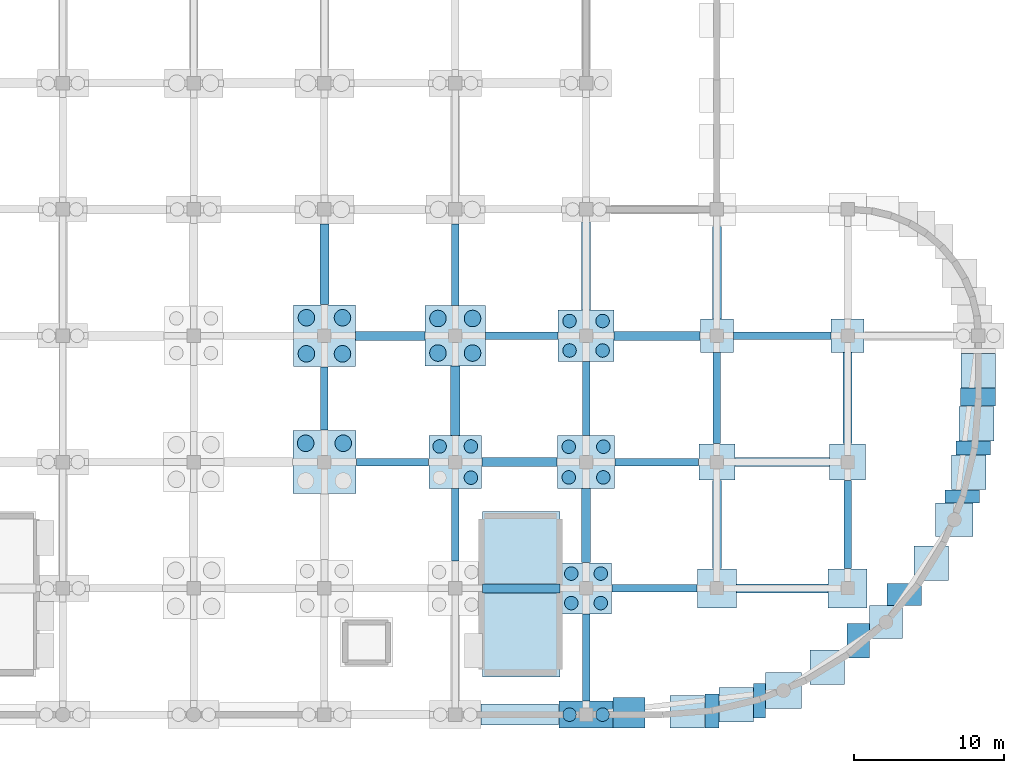
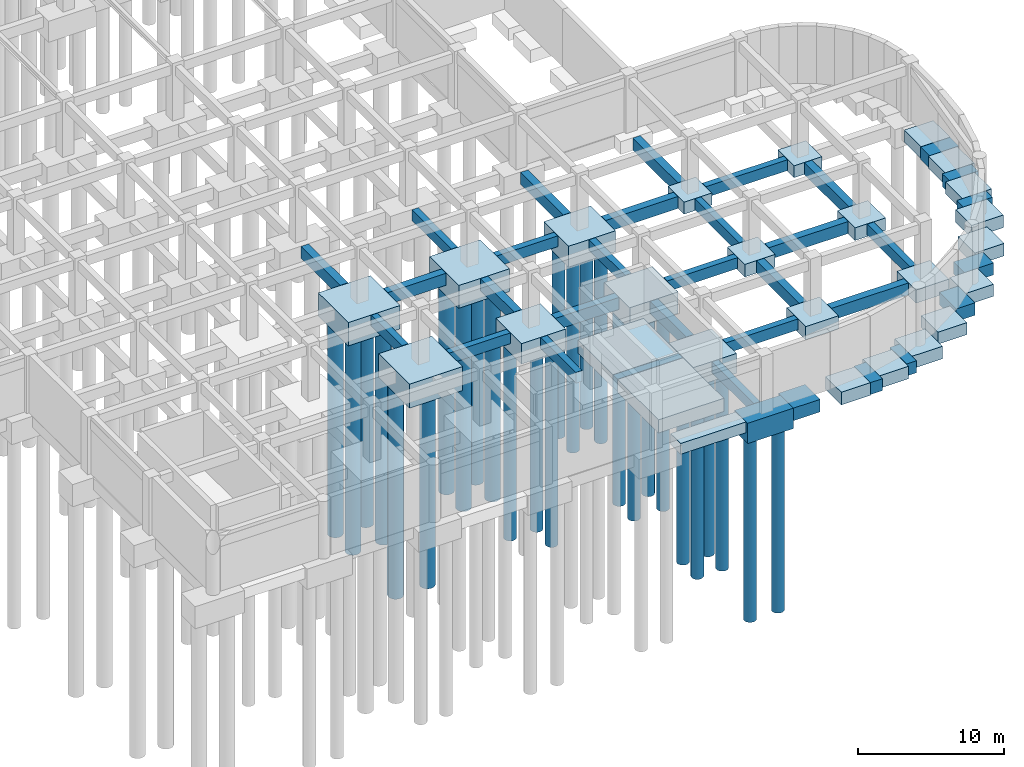
# One storey, part 12 of 33: 60 footings, 27 piles.
"""IFC4 building model written with IfcOpenShell, lengths in metres."""

from ifc_helpers import new_model, si_unit, derived_unit, direction, frame, origin, origin_2d, place, context, subcontext, project, spatial, rectangle, circle, extrude, material, material_profile, profile_set, type_object, element, save


model = new_model("IFC4")

# Units and contexts
model_context = context("Model", 3, precision=1e-05, world=origin(), true_north=direction((0.0, 1.0)))
body_context = subcontext(model_context, "Body", "Model", "MODEL_VIEW")
ifc_project = project(units=[si_unit("LENGTHUNIT", "METRE"), si_unit("AREAUNIT", "SQUARE_METRE"), si_unit("VOLUMEUNIT", "CUBIC_METRE"), si_unit("PLANEANGLEUNIT", "RADIAN"), si_unit("MASSUNIT", "GRAM", prefix="KILO"), derived_unit("THERMALTRANSMITTANCEUNIT", [(si_unit("MASSUNIT", "GRAM", prefix="KILO"), 1), (si_unit("TIMEUNIT", "SECOND"), -3), (si_unit("THERMODYNAMICTEMPERATUREUNIT", "KELVIN"), -1)])], contexts=[model_context])

# Site, building, storey
site_placement = place(None, origin())
site = spatial("IfcSite", under=ifc_project, at=site_placement, CompositionType="ELEMENT")
building_placement = place(site_placement, origin())
building = spatial("IfcBuilding", under=site, at=building_placement, Name="Qinzheling Arcade Emporium", CompositionType="ELEMENT")
storey_placement = place(building_placement, frame((0.0, 0.0, -9.60009765625)))
storey = spatial("IfcBuildingStorey", under=building, at=storey_placement, Name="B2", CompositionType="ELEMENT", Elevation=-9.60009765625)

# Footings
ifc_material = material(Name="Concrete C40", Category="concrete")
footing_type_1 = type_object("IfcFootingType", Name="Arcade Pad Footing 2400x2400x1050 C40", PredefinedType="PAD_FOOTING", material=ifc_material)
for number, where, z_axis, x_axis, name in (
    (1, (156.60009765625, 16.800048828125, -1.0498046875), (0.0, 0.0, 1.0), (1.0, 0.0, 0.0), "Pad Footing FND-PF-002"),
    (2, (165.300048828125, 16.800048828125, -1.0498046875), (0.0, 0.0, 1.0), (1.0, 0.0, 0.0), "Pad Footing FND-PF-006"),
    (3, (161.035888671875, 1.59912109375, -1.0498046875), (0.0, 0.0, 1.0), (1.0, 0.0, 0.0), "Curved Arcade Pad Footing FND-PF-CV-CV4-01"),
):
    element("IfcFooting", number, at=place(storey_placement, frame(where, z_axis=z_axis, x_axis=x_axis)), inside=storey, type_object=footing_type_1, Name=name, PredefinedType="PAD_FOOTING", context=body_context, shape_type="SweptSolid", body=[
        extrude(rectangle(XDim=2.39990234375, YDim=2.39990234375, at=origin_2d()), origin(), (0.0, 0.0, 1.0), 1.050048828125),
    ])
footing_1_placement = place(storey_placement, frame((173.968017578125, 21.115966796875, -1.0498046875), z_axis=(0.0, 0.0, 1.0), x_axis=(1.0, 0.0, 0.0)))
element("IfcFooting", 4, at=footing_1_placement, inside=storey, type_object=footing_type_1, Name="Retaining Wall Pad Footing FND-PF-RW-063", PredefinedType="PAD_FOOTING", context=body_context, shape_type="SweptSolid", body=[
    extrude(rectangle(XDim=2.300048828125, YDim=1.2041015625, at=origin_2d()), origin(), (0.0, 0.0, 1.0), 1.050048828125),
])
footing_2_placement = place(storey_placement, frame((173.64501953125, 17.736083984375, -1.0498046875), z_axis=(0.0, 0.0, 1.0), x_axis=(1.0, 0.0, 0.0)))
element("IfcFooting", 5, at=footing_2_placement, inside=storey, type_object=footing_type_1, Name="Retaining Wall Pad Footing FND-PF-RW-065", PredefinedType="PAD_FOOTING", context=body_context, shape_type="SweptSolid", body=[
    extrude(rectangle(XDim=2.300048828125, YDim=0.93310546875, at=origin_2d()), origin(), (0.0, 0.0, 1.0), 1.050048828125),
])
footing_3_placement = place(storey_placement, frame((170.85009765625, 10.06103515625, -1.0498046875), z_axis=(0.0, 0.0, 1.0), x_axis=(1.0, 0.0, 0.0)))
element("IfcFooting", 6, at=footing_3_placement, inside=storey, type_object=footing_type_1, Name="Retaining Wall Pad Footing FND-PF-RW-067", PredefinedType="PAD_FOOTING", context=body_context, shape_type="SweptSolid", body=[
    extrude(rectangle(XDim=2.300048828125, YDim=2.300048828125, at=origin_2d()), origin(), (0.0, 0.0, 1.0), 1.050048828125),
])
footing_4_placement = place(storey_placement, frame((166.00390625, 4.926025390625, -1.0498046875), z_axis=(0.0, 0.0, 1.0), x_axis=(1.0, 0.0, 0.0)))
element("IfcFooting", 7, at=footing_4_placement, inside=storey, type_object=footing_type_1, Name="Retaining Wall Pad Footing FND-PF-RW-069", PredefinedType="PAD_FOOTING", context=body_context, shape_type="SweptSolid", body=[
    extrude(rectangle(XDim=1.47900390625, YDim=2.300048828125, at=origin_2d()), origin(), (0.0, 0.0, 1.0), 1.050048828125),
])
footing_5_placement = place(storey_placement, frame((157.886962890625, 0.64306640625, -1.0498046875), z_axis=(0.0, 0.0, 1.0), x_axis=(1.0, 0.0, 0.0)))
element("IfcFooting", 8, at=footing_5_placement, inside=storey, type_object=footing_type_1, Name="Retaining Wall Pad Footing FND-PF-RW-071", PredefinedType="PAD_FOOTING", context=body_context, shape_type="SweptSolid", body=[
    extrude(rectangle(XDim=2.300048828125, YDim=2.299072265625, at=origin_2d()), origin(), (0.0, 0.0, 1.0), 1.050048828125),
])
footing_6_placement = place(storey_placement, frame((154.64208984375, 0.18896484375, -1.0498046875), z_axis=(0.0, 0.0, 1.0), x_axis=(1.0, 0.0, 0.0)))
element("IfcFooting", 9, at=footing_6_placement, inside=storey, type_object=footing_type_1, Name="Retaining Wall Pad Footing FND-PF-RW-073", PredefinedType="PAD_FOOTING", context=body_context, shape_type="SweptSolid", body=[
    extrude(rectangle(XDim=2.300048828125, YDim=2.178955078125, at=origin_2d()), origin(), (0.0, 0.0, 1.0), 1.050048828125),
])
footing_7_placement = place(storey_placement, frame((150.76611328125, 0.125, -1.0498046875), z_axis=(0.0, 0.0, 1.0), x_axis=(1.0, 0.0, 0.0)))
element("IfcFooting", 10, at=footing_7_placement, inside=storey, type_object=footing_type_1, Name="Retaining Wall Pad Footing FND-PF-RW-075", PredefinedType="PAD_FOOTING", context=body_context, shape_type="SweptSolid", body=[
    extrude(rectangle(XDim=2.1201171875, YDim=2.050048828125, at=origin_2d()), origin(), (0.0, 0.0, 1.0), 1.050048828125),
])
footing_type_2 = type_object("IfcFootingType", Name="Canopy Pad Footing 2600x2600x1100 C40", PredefinedType="PAD_FOOTING", material=ifc_material)
for number, where, z_axis, x_axis, name in (
    (11, (156.60009765625, 8.39990234375, -1.099853515625), (0.0, 0.0, 1.0), (1.0, 0.0, 0.0), "Pad Footing FND-PF-001"),
    (12, (165.300048828125, 8.39990234375, -1.099853515625), (0.0, 0.0, 1.0), (1.0, 0.0, 0.0), "Pad Footing FND-PF-005"),
):
    element("IfcFooting", number, at=place(storey_placement, frame(where, z_axis=z_axis, x_axis=x_axis)), inside=storey, type_object=footing_type_2, Name=name, PredefinedType="PAD_FOOTING", context=body_context, shape_type="SweptSolid", body=[
        extrude(rectangle(XDim=2.60009765625, YDim=2.60009765625, at=origin_2d()), origin(), (0.0, 0.0, 1.0), 1.10009765625),
    ])
footing_8_placement = place(storey_placement, frame((143.60009765625, 5.2900390625, -1.099853515625), z_axis=(0.0, 0.0, 1.0), x_axis=(1.0, 0.0, 0.0)))
element("IfcFooting", 13, at=footing_8_placement, inside=storey, type_object=footing_type_2, Name="Stair Core Mat Pad FND-PF-ST-ST06-1", PredefinedType="PAD_FOOTING", context=body_context, shape_type="SweptSolid", body=[
    extrude(rectangle(XDim=5.156005859375, YDim=5.575927734375, at=origin_2d()), origin(), (0.0, 0.0, 1.0), 1.10009765625),
])
footing_9_placement = place(storey_placement, frame((143.60009765625, 11.110107421875, -1.099853515625), z_axis=(0.0, 0.0, 1.0), x_axis=(1.0, 0.0, 0.0)))
element("IfcFooting", 14, at=footing_9_placement, inside=storey, type_object=footing_type_2, Name="Stair Core Mat Pad FND-PF-ST-ST06-2", PredefinedType="PAD_FOOTING", context=body_context, shape_type="SweptSolid", body=[
    extrude(rectangle(XDim=5.156005859375, YDim=4.77587890625, at=origin_2d()), origin(), (0.0, 0.0, 1.0), 1.10009765625),
])
footing_type_3 = type_object("IfcFootingType", Name="Core Strip Footing 1400x900 C40", PredefinedType="STRIP_FOOTING", material=ifc_material)
footing_10_placement = place(storey_placement, frame((143.5, 0.0, -0.89990234375), z_axis=(0.0, 0.0, 1.0), x_axis=(1.0, 0.0, 0.0)))
element("IfcFooting", 15, at=footing_10_placement, inside=storey, type_object=footing_type_3, Name="Foundation Tie FND-SF-005", PredefinedType="STRIP_FOOTING", context=body_context, shape_type="SweptSolid", body=[
    extrude(rectangle(XDim=5.159912109375, YDim=1.39990234375, at=origin_2d()), origin(), (0.0, 0.0, 1.0), 0.89990234375),
])
footing_type_4 = type_object("IfcFootingType", Name="Foundation Tie Beam 500x900 C40", PredefinedType="FOOTING_BEAM", material=ifc_material)
footing_11_placement = place(storey_placement, frame((152.449951171875, 8.39990234375, -0.89990234375), z_axis=(0.0, 0.0, 1.0), x_axis=(1.0, 0.0, 0.0)))
element("IfcFooting", 16, at=footing_11_placement, inside=storey, type_object=footing_type_4, Name="Foundation Tie FND-FB-017", PredefinedType="FOOTING_BEAM", context=body_context, shape_type="SweptSolid", body=[
    extrude(rectangle(XDim=5.659912109375, YDim=0.5, at=origin_2d()), origin(), (0.0, 0.0, 1.0), 0.89990234375),
])
footing_12_placement = place(storey_placement, frame((135.02490234375, 16.800048828125, -0.89990234375), z_axis=(0.0, 0.0, 1.0), x_axis=(1.0, 0.0, 0.0)))
element("IfcFooting", 17, at=footing_12_placement, inside=storey, type_object=footing_type_4, Name="Foundation Tie FND-FB-029", PredefinedType="FOOTING_BEAM", context=body_context, shape_type="SweptSolid", body=[
    extrude(rectangle(XDim=4.81005859375, YDim=0.5, at=origin_2d()), origin(), (0.0, 0.0, 1.0), 0.89990234375),
])
footing_13_placement = place(storey_placement, frame((152.60009765625, 16.800048828125, -0.89990234375), z_axis=(0.0, 0.0, 1.0), x_axis=(1.0, 0.0, 0.0)))
element("IfcFooting", 18, at=footing_13_placement, inside=storey, type_object=footing_type_4, Name="Foundation Tie FND-FB-031", PredefinedType="FOOTING_BEAM", context=body_context, shape_type="SweptSolid", body=[
    extrude(rectangle(XDim=5.56005859375, YDim=0.5, at=origin_2d()), origin(), (0.0, 0.0, 1.0), 0.89990234375),
])
footing_14_placement = place(storey_placement, frame((143.625, 25.199951171875, -0.89990234375), z_axis=(0.0, 0.0, 1.0), x_axis=(1.0, 0.0, 0.0)))
element("IfcFooting", 19, at=footing_14_placement, inside=storey, type_object=footing_type_4, Name="Foundation Tie FND-FB-049", PredefinedType="FOOTING_BEAM", context=body_context, shape_type="SweptSolid", body=[
    extrude(rectangle(XDim=4.81005859375, YDim=0.5, at=origin_2d()), origin(), (0.0, 0.0, 1.0), 0.89990234375),
])
footing_15_placement = place(storey_placement, frame((160.949951171875, 25.199951171875, -0.89990234375), z_axis=(0.0, 0.0, 1.0), x_axis=(1.0, 0.0, 0.0)))
element("IfcFooting", 20, at=footing_15_placement, inside=storey, type_object=footing_type_4, Name="Foundation Tie FND-FB-051", PredefinedType="FOOTING_BEAM", context=body_context, shape_type="SweptSolid", body=[
    extrude(rectangle(XDim=6.4599609375, YDim=0.5, at=origin_2d()), origin(), (0.0, 0.0, 1.0), 0.89990234375),
])
footing_16_placement = place(storey_placement, frame((130.5, 21.02490234375, -0.89990234375), z_axis=(0.0, 0.0, 1.0), x_axis=(1.0, 0.0, 0.0)))
element("IfcFooting", 21, at=footing_16_placement, inside=storey, type_object=footing_type_4, Name="Foundation Tie FND-FB-311", PredefinedType="FOOTING_BEAM", context=body_context, shape_type="SweptSolid", body=[
    extrude(rectangle(XDim=0.5, YDim=4.2099609375, at=origin_2d()), origin(), (0.0, 0.0, 1.0), 0.89990234375),
])
footing_17_placement = place(storey_placement, frame((139.199951171875, 12.625, -0.89990234375), z_axis=(0.0, 0.0, 1.0), x_axis=(1.0, 0.0, 0.0)))
element("IfcFooting", 22, at=footing_17_placement, inside=storey, type_object=footing_type_4, Name="Foundation Tie FND-FB-321", PredefinedType="FOOTING_BEAM", context=body_context, shape_type="SweptSolid", body=[
    extrude(rectangle(XDim=0.5, YDim=4.81005859375, at=origin_2d()), origin(), (0.0, 0.0, 1.0), 0.89990234375),
])
footing_18_placement = place(storey_placement, frame((139.199951171875, 29.925048828125, -0.89990234375), z_axis=(0.0, 0.0, 1.0), x_axis=(1.0, 0.0, 0.0)))
element("IfcFooting", 23, at=footing_18_placement, inside=storey, type_object=footing_type_4, Name="Foundation Tie FND-FB-323", PredefinedType="FOOTING_BEAM", context=body_context, shape_type="SweptSolid", body=[
    extrude(rectangle(XDim=0.5, YDim=5.409912109375, at=origin_2d()), origin(), (0.0, 0.0, 1.0), 0.89990234375),
])
footing_19_placement = place(storey_placement, frame((147.89990234375, 3.800048828125, -0.89990234375), z_axis=(0.0, 0.0, 1.0), x_axis=(1.0, 0.0, 0.0)))
element("IfcFooting", 24, at=footing_19_placement, inside=storey, type_object=footing_type_4, Name="Foundation Tie FND-FB-331", PredefinedType="FOOTING_BEAM", context=body_context, shape_type="SweptSolid", body=[
    extrude(rectangle(XDim=0.5, YDim=5.760009765625, at=origin_2d()), origin(), (0.0, 0.0, 1.0), 0.89990234375),
])
footing_20_placement = place(storey_placement, frame((147.89990234375, 21.02490234375, -0.89990234375), z_axis=(0.0, 0.0, 1.0), x_axis=(1.0, 0.0, 0.0)))
element("IfcFooting", 25, at=footing_20_placement, inside=storey, type_object=footing_type_4, Name="Foundation Tie FND-FB-333", PredefinedType="FOOTING_BEAM", context=body_context, shape_type="SweptSolid", body=[
    extrude(rectangle(XDim=0.5, YDim=4.909912109375, at=origin_2d()), origin(), (0.0, 0.0, 1.0), 0.89990234375),
])
footing_21_placement = place(storey_placement, frame((156.60009765625, 21.050048828125, -0.89990234375), z_axis=(0.0, 0.0, 1.0), x_axis=(1.0, 0.0, 0.0)))
element("IfcFooting", 26, at=footing_21_placement, inside=storey, type_object=footing_type_4, Name="Foundation Tie FND-FB-341", PredefinedType="FOOTING_BEAM", context=body_context, shape_type="SweptSolid", body=[
    extrude(rectangle(XDim=0.5, YDim=6.06005859375, at=origin_2d()), origin(), (0.0, 0.0, 1.0), 0.89990234375),
])
footing_22_placement = place(storey_placement, frame((165.300048828125, 12.64990234375, -0.89990234375), z_axis=(0.0, 0.0, 1.0), x_axis=(1.0, 0.0, 0.0)))
element("IfcFooting", 27, at=footing_22_placement, inside=storey, type_object=footing_type_4, Name="Foundation Tie FND-FB-343", PredefinedType="FOOTING_BEAM", context=body_context, shape_type="SweptSolid", body=[
    extrude(rectangle(XDim=0.5, YDim=5.860107421875, at=origin_2d()), origin(), (0.0, 0.0, 1.0), 0.89990234375),
])
footing_type_5 = type_object("IfcFootingType", Name="Foundation Tie Beam 600x1000 C40", PredefinedType="FOOTING_BEAM", material=ifc_material)
footing_23_placement = place(storey_placement, frame((143.60009765625, 8.39990234375, -1.0), z_axis=(0.0, 0.0, 1.0), x_axis=(1.0, 0.0, 0.0)))
element("IfcFooting", 28, at=footing_23_placement, inside=storey, type_object=footing_type_5, Name="Foundation Tie FND-FB-016", PredefinedType="FOOTING_BEAM", context=body_context, shape_type="SweptSolid", body=[
    extrude(rectangle(XDim=5.159912109375, YDim=0.60009765625, at=origin_2d()), origin(), (0.0, 0.0, 1.0), 1.0),
])
footing_24_placement = place(storey_placement, frame((160.949951171875, 8.39990234375, -1.0), z_axis=(0.0, 0.0, 1.0), x_axis=(1.0, 0.0, 0.0)))
element("IfcFooting", 29, at=footing_24_placement, inside=storey, type_object=footing_type_5, Name="Foundation Tie FND-FB-018", PredefinedType="FOOTING_BEAM", context=body_context, shape_type="SweptSolid", body=[
    extrude(rectangle(XDim=6.06005859375, YDim=0.60009765625, at=origin_2d()), origin(), (0.0, 0.0, 1.0), 1.0),
])
footing_25_placement = place(storey_placement, frame((143.47509765625, 16.800048828125, -1.0), z_axis=(0.0, 0.0, 1.0), x_axis=(1.0, 0.0, 0.0)))
element("IfcFooting", 30, at=footing_25_placement, inside=storey, type_object=footing_type_5, Name="Foundation Tie FND-FB-030", PredefinedType="FOOTING_BEAM", context=body_context, shape_type="SweptSolid", body=[
    extrude(rectangle(XDim=5.010009765625, YDim=0.60009765625, at=origin_2d()), origin(), (0.0, 0.0, 1.0), 1.0),
])
footing_26_placement = place(storey_placement, frame((160.949951171875, 16.800048828125, -1.0), z_axis=(0.0, 0.0, 1.0), x_axis=(1.0, 0.0, 0.0)))
element("IfcFooting", 31, at=footing_26_placement, inside=storey, type_object=footing_type_5, Name="Foundation Tie FND-FB-032", PredefinedType="FOOTING_BEAM", context=body_context, shape_type="SweptSolid", body=[
    extrude(rectangle(XDim=6.260009765625, YDim=0.60009765625, at=origin_2d()), origin(), (0.0, 0.0, 1.0), 1.0),
])
footing_27_placement = place(storey_placement, frame((134.875, 25.199951171875, -1.0), z_axis=(0.0, 0.0, 1.0), x_axis=(1.0, 0.0, 0.0)))
element("IfcFooting", 32, at=footing_27_placement, inside=storey, type_object=footing_type_5, Name="Foundation Tie FND-FB-048", PredefinedType="FOOTING_BEAM", context=body_context, shape_type="SweptSolid", body=[
    extrude(rectangle(XDim=4.610107421875, YDim=0.60009765625, at=origin_2d()), origin(), (0.0, 0.0, 1.0), 1.0),
])
footing_28_placement = place(storey_placement, frame((152.625, 25.199951171875, -1.0), z_axis=(0.0, 0.0, 1.0), x_axis=(1.0, 0.0, 0.0)))
element("IfcFooting", 33, at=footing_28_placement, inside=storey, type_object=footing_type_5, Name="Foundation Tie FND-FB-050", PredefinedType="FOOTING_BEAM", context=body_context, shape_type="SweptSolid", body=[
    extrude(rectangle(XDim=5.7099609375, YDim=0.60009765625, at=origin_2d()), origin(), (0.0, 0.0, 1.0), 1.0),
])
footing_29_placement = place(storey_placement, frame((130.5, 29.949951171875, -1.0), z_axis=(0.0, 0.0, 1.0), x_axis=(1.0, 0.0, 0.0)))
element("IfcFooting", 34, at=footing_29_placement, inside=storey, type_object=footing_type_5, Name="Foundation Tie FND-FB-312", PredefinedType="FOOTING_BEAM", context=body_context, shape_type="SweptSolid", body=[
    extrude(rectangle(XDim=0.60009765625, YDim=5.360107421875, at=origin_2d()), origin(), (0.0, 0.0, 1.0), 1.0),
])
footing_30_placement = place(storey_placement, frame((139.199951171875, 20.875, -1.0), z_axis=(0.0, 0.0, 1.0), x_axis=(1.0, 0.0, 0.0)))
element("IfcFooting", 35, at=footing_30_placement, inside=storey, type_object=footing_type_5, Name="Foundation Tie FND-FB-322", PredefinedType="FOOTING_BEAM", context=body_context, shape_type="SweptSolid", body=[
    extrude(rectangle(XDim=0.60009765625, YDim=4.610107421875, at=origin_2d()), origin(), (0.0, 0.0, 1.0), 1.0),
])
footing_31_placement = place(storey_placement, frame((147.89990234375, 12.574951171875, -1.0), z_axis=(0.0, 0.0, 1.0), x_axis=(1.0, 0.0, 0.0)))
element("IfcFooting", 36, at=footing_31_placement, inside=storey, type_object=footing_type_5, Name="Foundation Tie FND-FB-332", PredefinedType="FOOTING_BEAM", context=body_context, shape_type="SweptSolid", body=[
    extrude(rectangle(XDim=0.60009765625, YDim=4.909912109375, at=origin_2d()), origin(), (0.0, 0.0, 1.0), 1.0),
])
for number, where, z_axis, x_axis, name in (
    (37, (147.89990234375, 29.85009765625, -1.0), (0.0, 0.0, 1.0), (1.0, 0.0, 0.0), "Foundation Tie FND-FB-334"),
    (38, (156.60009765625, 12.64990234375, -1.0), (0.0, 0.0, 1.0), (1.0, 0.0, 0.0), "Foundation Tie FND-FB-340"),
):
    element("IfcFooting", number, at=place(storey_placement, frame(where, z_axis=z_axis, x_axis=x_axis)), inside=storey, type_object=footing_type_5, Name=name, PredefinedType="FOOTING_BEAM", context=body_context, shape_type="SweptSolid", body=[
        extrude(rectangle(XDim=0.60009765625, YDim=5.860107421875, at=origin_2d()), origin(), (0.0, 0.0, 1.0), 1.0),
    ])
footing_32_placement = place(storey_placement, frame((156.60009765625, 29.39990234375, -1.0), z_axis=(0.0, 0.0, 1.0), x_axis=(1.0, 0.0, 0.0)))
element("IfcFooting", 39, at=footing_32_placement, inside=storey, type_object=footing_type_5, Name="Foundation Tie FND-FB-342", PredefinedType="FOOTING_BEAM", context=body_context, shape_type="SweptSolid", body=[
    extrude(rectangle(XDim=0.60009765625, YDim=6.159912109375, at=origin_2d()), origin(), (0.0, 0.0, 1.0), 1.0),
])
footing_33_placement = place(storey_placement, frame((165.300048828125, 21.050048828125, -1.0), z_axis=(0.0, 0.0, 1.0), x_axis=(1.0, 0.0, 0.0)))
element("IfcFooting", 40, at=footing_33_placement, inside=storey, type_object=footing_type_5, Name="Foundation Tie FND-FB-344", PredefinedType="FOOTING_BEAM", context=body_context, shape_type="SweptSolid", body=[
    extrude(rectangle(XDim=0.60009765625, YDim=6.06005859375, at=origin_2d()), origin(), (0.0, 0.0, 1.0), 1.0),
])
footing_type_6 = type_object("IfcFootingType", Name="Four-Pile Arcade Cap 3700x3400x1750 C40", PredefinedType="PILE_CAP", material=ifc_material)
footing_34_placement = place(storey_placement, frame((147.89990234375, 25.199951171875, -1.75), z_axis=(0.0, 0.0, 1.0), x_axis=(1.0, 0.0, 0.0)))
element("IfcFooting", 41, at=footing_34_placement, inside=storey, type_object=footing_type_6, Name="Pile Cap FND-PC-187", PredefinedType="PILE_CAP", context=body_context, shape_type="SweptSolid", body=[
    extrude(rectangle(XDim=3.699951171875, YDim=3.39990234375, at=origin_2d()), origin(), (0.0, 0.0, 1.0), 1.75),
])
footing_type_7 = type_object("IfcFootingType", Name="Four-Pile Atrium Cap 4000x4000x1900 C40", PredefinedType="PILE_CAP", material=ifc_material)
footing_35_placement = place(storey_placement, frame((139.199951171875, 25.199951171875, -1.89990234375), z_axis=(0.0, 0.0, 1.0), x_axis=(1.0, 0.0, 0.0)))
element("IfcFooting", 42, at=footing_35_placement, inside=storey, type_object=footing_type_7, Name="Pile Cap FND-PC-174", PredefinedType="PILE_CAP", context=body_context, shape_type="SweptSolid", body=[
    extrude(rectangle(XDim=4.0, YDim=4.0, at=origin_2d()), origin(), (0.0, 0.0, 1.0), 1.89990234375),
])
footing_type_8 = type_object("IfcFootingType", Name="Four-Pile Core Cap 4100x4100x1950 C40", PredefinedType="PILE_CAP", material=ifc_material)
footing_36_placement = place(storey_placement, frame((130.5, 25.199951171875, -1.94970703125), z_axis=(0.0, 0.0, 1.0), x_axis=(1.0, 0.0, 0.0)))
element("IfcFooting", 43, at=footing_36_placement, inside=storey, type_object=footing_type_8, Name="Pile Cap FND-PC-161", PredefinedType="PILE_CAP", context=body_context, shape_type="SweptSolid", body=[
    extrude(rectangle(XDim=4.10009765625, YDim=4.10009765625, at=origin_2d()), origin(), (0.0, 0.0, 1.0), 1.949951171875),
])
footing_type_9 = type_object("IfcFootingType", Name="Four-Pile Gallery Cap 3500x3500x1700 C40", PredefinedType="PILE_CAP", material=ifc_material)
footing_37_placement = place(storey_placement, frame((139.199951171875, 16.800048828125, -1.69970703125), z_axis=(0.0, 0.0, 1.0), x_axis=(1.0, 0.0, 0.0)))
element("IfcFooting", 44, at=footing_37_placement, inside=storey, type_object=footing_type_9, Name="Pile Cap FND-PC-173", PredefinedType="PILE_CAP", context=body_context, shape_type="SweptSolid", body=[
    extrude(rectangle(XDim=3.5, YDim=3.5, at=origin_2d()), origin(), (0.0, 0.0, 1.0), 1.699951171875),
])
footing_type_10 = type_object("IfcFootingType", Name="Four-Pile Heavy Cap 4200x4200x2000 C40", PredefinedType="PILE_CAP", material=ifc_material)
footing_38_placement = place(storey_placement, frame((130.5, 16.800048828125, -2.0), z_axis=(0.0, 0.0, 1.0), x_axis=(1.0, 0.0, 0.0)))
element("IfcFooting", 45, at=footing_38_placement, inside=storey, type_object=footing_type_10, Name="Pile Cap FND-PC-160", PredefinedType="PILE_CAP", context=body_context, shape_type="SweptSolid", body=[
    extrude(rectangle(XDim=4.199951171875, YDim=4.199951171875, at=origin_2d()), origin(), (0.0, 0.0, 1.0), 2.0),
])
footing_type_11 = type_object("IfcFootingType", Name="Four-Pile Office Cap 3800x3500x1800 C40", PredefinedType="PILE_CAP", material=ifc_material)
footing_39_placement = place(storey_placement, frame((147.89990234375, 16.800048828125, -1.7998046875), z_axis=(0.0, 0.0, 1.0), x_axis=(1.0, 0.0, 0.0)))
element("IfcFooting", 46, at=footing_39_placement, inside=storey, type_object=footing_type_11, Name="Pile Cap FND-PC-186", PredefinedType="PILE_CAP", context=body_context, shape_type="SweptSolid", body=[
    extrude(rectangle(XDim=3.800048828125, YDim=3.5, at=origin_2d()), origin(), (0.0, 0.0, 1.0), 1.800048828125),
])
footing_type_12 = type_object("IfcFootingType", Name="Four-Pile Wing Cap 3400x3400x1650 C40", PredefinedType="PILE_CAP", material=ifc_material)
footing_40_placement = place(storey_placement, frame((147.89990234375, 8.39990234375, -1.64990234375), z_axis=(0.0, 0.0, 1.0), x_axis=(1.0, 0.0, 0.0)))
element("IfcFooting", 47, at=footing_40_placement, inside=storey, type_object=footing_type_12, Name="Pile Cap FND-PC-185", PredefinedType="PILE_CAP", context=body_context, shape_type="SweptSolid", body=[
    extrude(rectangle(XDim=3.39990234375, YDim=3.39990234375, at=origin_2d()), origin(), (0.0, 0.0, 1.0), 1.64990234375),
])
footing_type_13 = type_object("IfcFootingType", Name="Loggia Pad Footing 2200x2200x1000 C40", PredefinedType="PAD_FOOTING", material=ifc_material)
for number, where, z_axis, x_axis, name in (
    (48, (156.60009765625, 25.199951171875, -1.0), (0.0, 0.0, 1.0), (1.0, 0.0, 0.0), "Pad Footing FND-PF-003"),
    (49, (165.300048828125, 25.199951171875, -1.0), (0.0, 0.0, 1.0), (1.0, 0.0, 0.0), "Pad Footing FND-PF-007"),
    (50, (167.84912109375, 6.15087890625, -1.0), (0.0, 0.0, 1.0), (1.0, 0.0, 0.0), "Curved Arcade Pad Footing FND-PF-CV-CV4-02"),
):
    element("IfcFooting", number, at=place(storey_placement, frame(where, z_axis=z_axis, x_axis=x_axis)), inside=storey, type_object=footing_type_13, Name=name, PredefinedType="PAD_FOOTING", context=body_context, shape_type="SweptSolid", body=[
        extrude(rectangle(XDim=2.199951171875, YDim=2.199951171875, at=origin_2d()), origin(), (0.0, 0.0, 1.0), 1.0),
    ])
for number, where, z_axis, x_axis, name in (
    (51, (174.0, 22.8740234375, -1.0), (0.0, 0.0, 1.0), (1.0, 0.0, 0.0), "Retaining Wall Pad Footing FND-PF-RW-060"),
    (52, (173.8701171875, 19.35791015625, -1.0), (0.0, 0.0, 1.0), (1.0, 0.0, 0.0), "Retaining Wall Pad Footing FND-PF-RW-062"),
    (53, (173.35693359375, 16.113037109375, -1.0), (0.0, 0.0, 1.0), (1.0, 0.0, 0.0), "Retaining Wall Pad Footing FND-PF-RW-064"),
):
    element("IfcFooting", number, at=place(storey_placement, frame(where, z_axis=z_axis, x_axis=x_axis)), inside=storey, type_object=footing_type_13, Name=name, PredefinedType="PAD_FOOTING", context=body_context, shape_type="SweptSolid", body=[
        extrude(rectangle(XDim=2.300048828125, YDim=2.300048828125, at=origin_2d()), origin(), (0.0, 0.0, 1.0), 1.0),
    ])
footing_41_placement = place(storey_placement, frame((172.916015625, 14.513916015625, -1.0), z_axis=(0.0, 0.0, 1.0), x_axis=(1.0, 0.0, 0.0)))
element("IfcFooting", 54, at=footing_41_placement, inside=storey, type_object=footing_type_13, Name="Retaining Wall Pad Footing FND-PF-RW-066", PredefinedType="PAD_FOOTING", context=body_context, shape_type="SweptSolid", body=[
    extrude(rectangle(XDim=2.300048828125, YDim=0.886962890625, at=origin_2d()), origin(), (0.0, 0.0, 1.0), 1.0),
])
footing_42_placement = place(storey_placement, frame((169.073974609375, 7.9970703125, -1.0), z_axis=(0.0, 0.0, 1.0), x_axis=(1.0, 0.0, 0.0)))
element("IfcFooting", 55, at=footing_42_placement, inside=storey, type_object=footing_type_13, Name="Retaining Wall Pad Footing FND-PF-RW-068", PredefinedType="PAD_FOOTING", context=body_context, shape_type="SweptSolid", body=[
    extrude(rectangle(XDim=2.300048828125, YDim=1.47900390625, at=origin_2d()), origin(), (0.0, 0.0, 1.0), 1.0),
])
footing_43_placement = place(storey_placement, frame((163.93798828125, 3.14990234375, -1.0), z_axis=(0.0, 0.0, 1.0), x_axis=(1.0, 0.0, 0.0)))
element("IfcFooting", 56, at=footing_43_placement, inside=storey, type_object=footing_type_13, Name="Retaining Wall Pad Footing FND-PF-RW-070", PredefinedType="PAD_FOOTING", context=body_context, shape_type="SweptSolid", body=[
    extrude(rectangle(XDim=2.300048828125, YDim=2.300048828125, at=origin_2d()), origin(), (0.0, 0.0, 1.0), 1.0),
])
footing_44_placement = place(storey_placement, frame((159.43701171875, 0.931884765625, -1.0), z_axis=(0.0, 0.0, 1.0), x_axis=(1.0, 0.0, 0.0)))
element("IfcFooting", 57, at=footing_44_placement, inside=storey, type_object=footing_type_13, Name="Retaining Wall Pad Footing FND-PF-RW-072", PredefinedType="PAD_FOOTING", context=body_context, shape_type="SweptSolid", body=[
    extrude(rectangle(XDim=0.787109375, YDim=2.300048828125, at=origin_2d()), origin(), (0.0, 0.0, 1.0), 1.0),
])
footing_45_placement = place(storey_placement, frame((156.263916015625, 0.238037109375, -1.0), z_axis=(0.0, 0.0, 1.0), x_axis=(1.0, 0.0, 0.0)))
element("IfcFooting", 58, at=footing_45_placement, inside=storey, type_object=footing_type_13, Name="Retaining Wall Pad Footing FND-PF-RW-074", PredefinedType="PAD_FOOTING", context=body_context, shape_type="SweptSolid", body=[
    extrude(rectangle(XDim=0.93310546875, YDim=2.277099609375, at=origin_2d()), origin(), (0.0, 0.0, 1.0), 1.0),
])
footing_type_14 = type_object("IfcFootingType", Name="Pavilion Pad Footing 2500x2200x1050 C40", PredefinedType="PAD_FOOTING", material=ifc_material)
footing_46_placement = place(storey_placement, frame((172.40087890625, 12.964111328125, -1.0498046875), z_axis=(0.0, 0.0, 1.0), x_axis=(1.0, 0.0, 0.0)))
element("IfcFooting", 59, at=footing_46_placement, inside=storey, type_object=footing_type_14, Name="Curved Arcade Pad Footing FND-PF-CV-CV4-03", PredefinedType="PAD_FOOTING", context=body_context, shape_type="SweptSolid", body=[
    extrude(rectangle(XDim=2.5, YDim=2.199951171875, at=origin_2d()), origin(), (0.0, 0.0, 1.0), 1.050048828125),
])

# Piles
ifc_material_profile_1 = material_profile(ifc_material, circle(Radius=0.550048828125, at=origin_2d()), Name="BORED D1100", Category="concrete")
ifc_profile_set_1 = profile_set([ifc_material_profile_1], Name="Concrete C40")
pile_type_1 = type_object("IfcPileType", Name="Rotary Bored Pile D1100 C40", PredefinedType="BORED", material=ifc_profile_set_1)
for number, where, z_axis, x_axis, name in (
    (60, (129.25, 18.050048828125, -1.89990234375), (0.0, 0.0, -1.0), (1.0, 0.0, 0.0), "Bored Pile FND-PL-0495"),
    (61, (131.75, 18.050048828125, -1.89990234375), (0.0, 0.0, -1.0), (1.0, 0.0, 0.0), "Bored Pile FND-PL-0496"),
    (62, (129.300048828125, 24.0, -1.849853515625), (0.0, 0.0, -1.0), (1.0, 0.0, 0.0), "Bored Pile FND-PL-0497"),
    (63, (131.699951171875, 24.0, -1.849853515625), (0.0, 0.0, -1.0), (1.0, 0.0, 0.0), "Bored Pile FND-PL-0498"),
    (64, (129.300048828125, 26.39990234375, -1.849853515625), (0.0, 0.0, -1.0), (1.0, 0.0, 0.0), "Bored Pile FND-PL-0499"),
    (65, (131.699951171875, 26.39990234375, -1.849853515625), (0.0, 0.0, -1.0), (1.0, 0.0, 0.0), "Bored Pile FND-PL-0500"),
):
    element("IfcPile", number, at=place(storey_placement, frame(where, z_axis=z_axis, x_axis=x_axis)), inside=storey, type_object=pile_type_1, Name=name, PredefinedType="BORED", context=body_context, shape_type="SweptSolid", body=[
        extrude(circle(Radius=0.550048828125, at=origin_2d()), origin(), (0.0, 0.0, 1.0), 18.0),
    ])
for number, where, z_axis, x_axis, name in (
    (66, (138.050048828125, 24.050048828125, -1.7998046875), (0.0, 0.0, -1.0), (1.0, 0.0, 0.0), "Bored Pile FND-PL-0537"),
    (67, (140.35009765625, 24.050048828125, -1.7998046875), (0.0, 0.0, -1.0), (1.0, 0.0, 0.0), "Bored Pile FND-PL-0538"),
    (68, (138.050048828125, 26.35009765625, -1.7998046875), (0.0, 0.0, -1.0), (1.0, 0.0, 0.0), "Bored Pile FND-PL-0539"),
    (69, (140.35009765625, 26.35009765625, -1.7998046875), (0.0, 0.0, -1.0), (1.0, 0.0, 0.0), "Bored Pile FND-PL-0540"),
):
    element("IfcPile", number, at=place(storey_placement, frame(where, z_axis=z_axis, x_axis=x_axis)), inside=storey, type_object=pile_type_1, Name=name, PredefinedType="BORED", context=body_context, shape_type="SweptSolid", body=[
        extrude(circle(Radius=0.550048828125, at=origin_2d()), origin(), (0.0, 0.0, 1.0), 17.5),
    ])
ifc_material_profile_2 = material_profile(ifc_material, circle(Radius=0.449951171875, at=origin_2d()), Name="BORED D900", Category="concrete")
ifc_profile_set_2 = profile_set([ifc_material_profile_2], Name="Concrete C40")
pile_type_2 = type_object("IfcPileType", Name="Rotary Bored Pile D900 C40", PredefinedType="BORED", material=ifc_profile_set_2)
for number, where, z_axis, x_axis, name in (
    (70, (140.239990234375, 15.760009765625, -1.599853515625), (0.0, 0.0, -1.0), (1.0, 0.0, 0.0), "Bored Pile FND-PL-0534"),
    (71, (138.159912109375, 17.840087890625, -1.599853515625), (0.0, 0.0, -1.0), (1.0, 0.0, 0.0), "Bored Pile FND-PL-0535"),
    (72, (140.239990234375, 17.840087890625, -1.599853515625), (0.0, 0.0, -1.0), (1.0, 0.0, 0.0), "Bored Pile FND-PL-0536"),
):
    element("IfcPile", number, at=place(storey_placement, frame(where, z_axis=z_axis, x_axis=x_axis)), inside=storey, type_object=pile_type_2, Name=name, PredefinedType="BORED", context=body_context, shape_type="SweptSolid", body=[
        extrude(circle(Radius=0.449951171875, at=origin_2d()), origin(), (0.0, 0.0, 1.0), 16.5),
    ])
for number, where, z_axis, x_axis, name in (
    (73, (146.800048828125, 0.0, -1.599853515625), (0.0, 0.0, -1.0), (1.0, 0.0, 0.0), "Bored Pile FND-PL-0563"),
    (74, (149.0, 0.0, -1.599853515625), (0.0, 0.0, -1.0), (1.0, 0.0, 0.0), "Bored Pile FND-PL-0564"),
):
    element("IfcPile", number, at=place(storey_placement, frame(where, z_axis=z_axis, x_axis=x_axis)), inside=storey, type_object=pile_type_2, Name=name, PredefinedType="BORED", context=body_context, shape_type="SweptSolid", body=[
        extrude(circle(Radius=0.449951171875, at=origin_2d()), origin(), (0.0, 0.0, 1.0), 15.5),
    ])
for number, where, z_axis, x_axis, name in (
    (75, (146.919921875, 7.419921875, -1.5498046875), (0.0, 0.0, -1.0), (1.0, 0.0, 0.0), "Bored Pile FND-PL-0565"),
    (76, (148.8798828125, 7.419921875, -1.5498046875), (0.0, 0.0, -1.0), (1.0, 0.0, 0.0), "Bored Pile FND-PL-0566"),
    (77, (146.919921875, 9.3798828125, -1.5498046875), (0.0, 0.0, -1.0), (1.0, 0.0, 0.0), "Bored Pile FND-PL-0567"),
    (78, (148.8798828125, 9.3798828125, -1.5498046875), (0.0, 0.0, -1.0), (1.0, 0.0, 0.0), "Bored Pile FND-PL-0568"),
    (79, (146.75, 15.780029296875, -1.699951171875), (0.0, 0.0, -1.0), (1.0, 0.0, 0.0), "Bored Pile FND-PL-0569"),
    (80, (149.050048828125, 15.780029296875, -1.699951171875), (0.0, 0.0, -1.0), (1.0, 0.0, 0.0), "Bored Pile FND-PL-0570"),
    (81, (146.75, 17.820068359375, -1.699951171875), (0.0, 0.0, -1.0), (1.0, 0.0, 0.0), "Bored Pile FND-PL-0571"),
    (82, (149.050048828125, 17.820068359375, -1.699951171875), (0.0, 0.0, -1.0), (1.0, 0.0, 0.0), "Bored Pile FND-PL-0572"),
):
    element("IfcPile", number, at=place(storey_placement, frame(where, z_axis=z_axis, x_axis=x_axis)), inside=storey, type_object=pile_type_2, Name=name, PredefinedType="BORED", context=body_context, shape_type="SweptSolid", body=[
        extrude(circle(Radius=0.449951171875, at=origin_2d()), origin(), (0.0, 0.0, 1.0), 16.5),
    ])
for number, where, z_axis, x_axis, name in (
    (83, (146.800048828125, 24.219970703125, -1.64990234375), (0.0, 0.0, -1.0), (1.0, 0.0, 0.0), "Bored Pile FND-PL-0573"),
    (84, (149.0, 24.219970703125, -1.64990234375), (0.0, 0.0, -1.0), (1.0, 0.0, 0.0), "Bored Pile FND-PL-0574"),
    (85, (146.800048828125, 26.179931640625, -1.64990234375), (0.0, 0.0, -1.0), (1.0, 0.0, 0.0), "Bored Pile FND-PL-0575"),
    (86, (149.0, 26.179931640625, -1.64990234375), (0.0, 0.0, -1.0), (1.0, 0.0, 0.0), "Bored Pile FND-PL-0576"),
):
    element("IfcPile", number, at=place(storey_placement, frame(where, z_axis=z_axis, x_axis=x_axis)), inside=storey, type_object=pile_type_2, Name=name, PredefinedType="BORED", context=body_context, shape_type="SweptSolid", body=[
        extrude(circle(Radius=0.449951171875, at=origin_2d()), origin(), (0.0, 0.0, 1.0), 16.0),
    ])

# Footing
footing_type_15 = type_object("IfcFootingType", Name="Two-Pile Rectangular Cap 3600x1800x1700 C40", PredefinedType="PILE_CAP", material=ifc_material)
footing_47_placement = place(storey_placement, frame((147.89990234375, 0.0, -1.69970703125), z_axis=(0.0, 0.0, 1.0), x_axis=(1.0, 0.0, 0.0)))
element("IfcFooting", 87, at=footing_47_placement, inside=storey, type_object=footing_type_15, Name="Pile Cap FND-PC-184", PredefinedType="PILE_CAP", context=body_context, shape_type="SweptSolid", body=[
    extrude(rectangle(XDim=3.60009765625, YDim=1.800048828125, at=origin_2d()), origin(), (0.0, 0.0, 1.0), 1.699951171875),
])

save(model, "model.ifc")
